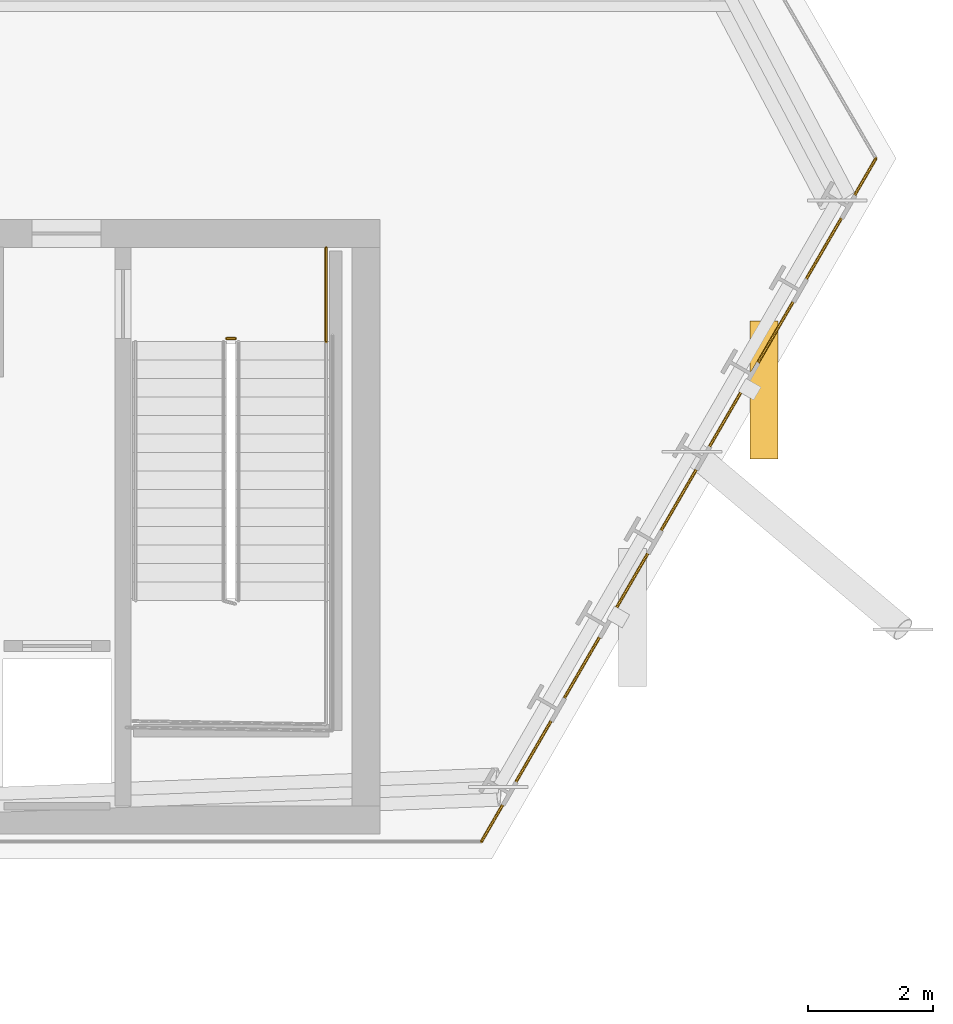
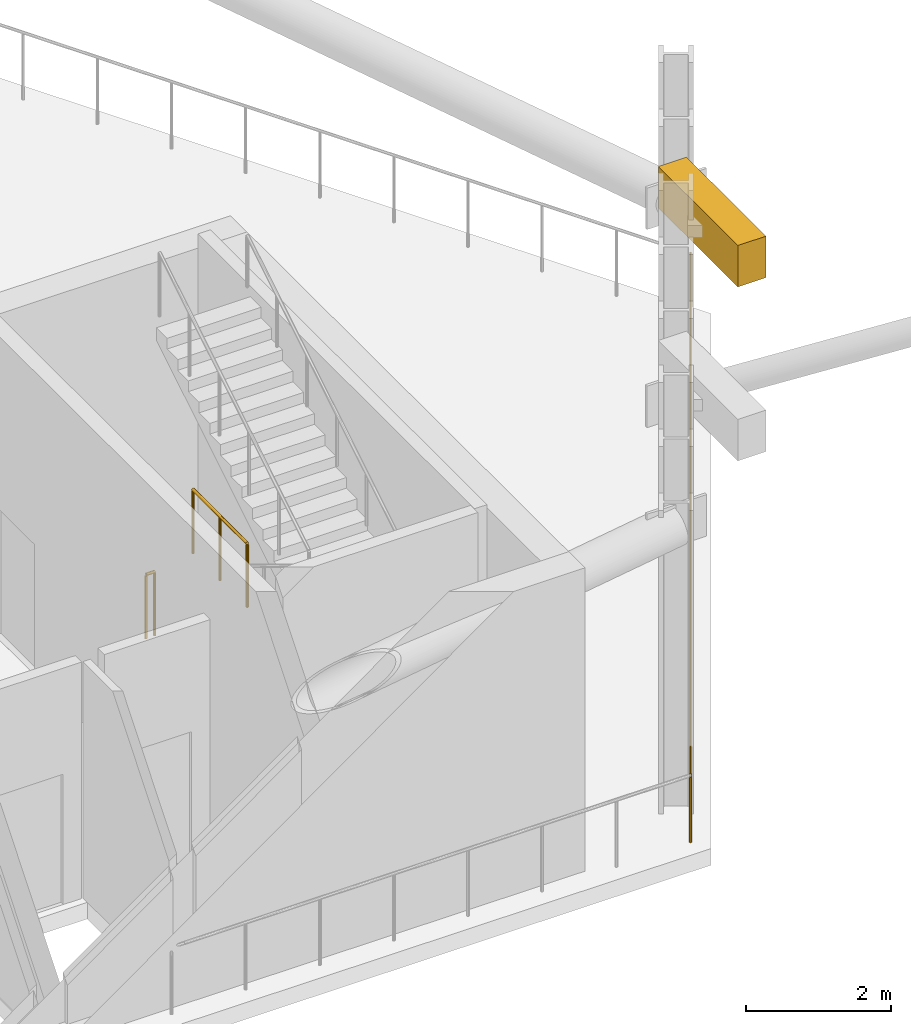
# One storey, part 10 of 11: 3 railings, 1 shading device.
"""IFC4 building model written with IfcOpenShell, lengths in metres."""

from ifc_helpers import new_model, si_unit, direction, frame, origin, origin_2d, place, context, subcontext, project, spatial, rectangle, circle, extrude, material, layer, layer_set, type_object, element, save


model = new_model("IFC4")

# Units and contexts
model_context = context("Model", 3, precision=1e-05, world=origin(), true_north=direction((0.0, 1.0)))
body_context = subcontext(model_context, "Body", "Model", "MODEL_VIEW")
ifc_project = project(units=[si_unit("LENGTHUNIT", "METRE"), si_unit("AREAUNIT", "SQUARE_METRE"), si_unit("VOLUMEUNIT", "CUBIC_METRE"), si_unit("PLANEANGLEUNIT", "RADIAN"), si_unit("MASSUNIT", "GRAM", prefix="KILO")], contexts=[model_context])

# Site, building, storey
site_placement = place(None, origin())
site = spatial("IfcSite", under=ifc_project, at=site_placement, CompositionType="ELEMENT")
building_placement = place(site_placement, origin())
building = spatial("IfcBuilding", under=site, at=building_placement, Name="Ndaravel Arena Tower", CompositionType="ELEMENT")
storey_placement = place(building_placement, frame((0.0, 0.0, 112.0)))
storey = spatial("IfcBuildingStorey", under=building, at=storey_placement, Name="L26", CompositionType="ELEMENT", Elevation=112.0)

# Railings
ifc_material_1 = material(Name="Steel S355", Category="steel")
ifc_layer_1 = layer(ifc_material_1, 0.06005859375)
ifc_layer_set_1 = layer_set([ifc_layer_1], Name="Steel S355")
railing_type_1 = type_object("IfcRailingType", Name="RAIL-STAIR-GD1100", PredefinedType="GUARDRAIL", material=ifc_layer_set_1)
railing_1_placement = place(storey_placement, frame((55.10009765625, 13.300048828125, 0.0)))
element("IfcRailing", 1, at=railing_1_placement, inside=storey, type_object=railing_type_1, Name="L26 ST-3 stair guard 4", PredefinedType="GUARDRAIL", context=body_context, shape_type="SweptSolid", body=[
    extrude(circle(Radius=0.02392578125, at=origin_2d()), frame((0.0, 0.0, 1.076171875), z_axis=(1.0, 0.0, 0.0), x_axis=(0.0, 1.0, 0.0)), (0.0, 0.0, 1.0), 0.139892578125),
    extrude(circle(Radius=0.02099609375, at=origin_2d()), origin(), (0.0, 0.0, 1.0), 1.052001953125),
    extrude(circle(Radius=0.02099609375, at=origin_2d()), frame((0.139892578125, 0.0, 0.0)), (0.0, 0.0, 1.0), 1.052001953125),
])
railing_2_placement = place(storey_placement, frame((56.68994140625, 14.75, 0.0)))
element("IfcRailing", 2, at=railing_2_placement, inside=storey, type_object=railing_type_1, Name="L26 ST-3 stair guard 5", PredefinedType="GUARDRAIL", context=body_context, shape_type="SweptSolid", body=[
    extrude(circle(Radius=0.02392578125, at=origin_2d()), frame((0.0, 0.0, 1.076171875), z_axis=(0.0, -1.0, 0.0), x_axis=(1.0, 0.0, 0.0)), (0.0, 0.0, 1.0), 1.5),
    extrude(circle(Radius=0.02099609375, at=origin_2d()), origin(), (0.0, 0.0, 1.0), 1.052001953125),
    extrude(circle(Radius=0.02099609375, at=origin_2d()), frame((0.0, -0.75, 0.0)), (0.0, 0.0, 1.0), 1.052001953125),
    extrude(circle(Radius=0.02099609375, at=origin_2d()), frame((0.0, -1.5, 0.0)), (0.0, 0.0, 1.0), 1.052001953125),
])
ifc_material_2 = material(Name="Glazing", Category="glass")
ifc_layer_2 = layer(ifc_material_2, 0.070068359375)
ifc_layer_set_2 = layer_set([ifc_layer_2], Name="Glazing")
railing_type_2 = type_object("IfcRailingType", Name="RAIL-TERRACE-1150", PredefinedType="BALUSTRADE", material=ifc_layer_set_2)
railing_3_placement = place(storey_placement, frame((59.165283203125, 5.280029296875, 0.0)))
element("IfcRailing", 3, at=railing_3_placement, inside=storey, type_object=railing_type_2, Name="L26 Open Wind Floor Perimeter Guard 2", PredefinedType="BALUSTRADE", context=body_context, shape_type="SweptSolid", body=[
    extrude(circle(Radius=0.02392578125, at=origin_2d()), frame((0.0, 0.0, 1.1259765625), z_axis=(0.500013689994, 0.866017499719, 0.0), x_axis=(-0.866017499719, 0.500013689994, 0.0)), (0.0, 0.0, 1.0), 12.577880859375),
    extrude(circle(Radius=0.02099609375, at=origin_2d()), origin(), (0.0, 0.0, 1.0), 1.101806640625),
    extrude(circle(Radius=0.02099609375, at=origin_2d()), frame((0.57177734375, 0.990234375, 0.0)), (0.0, 0.0, 1.0), 1.101806640625),
    extrude(circle(Radius=0.02099609375, at=origin_2d()), frame((1.1435546875, 1.98046875, 0.0)), (0.0, 0.0, 1.0), 1.101806640625),
    extrude(circle(Radius=0.02099609375, at=origin_2d()), frame((1.715087890625, 2.970703125, 0.0)), (0.0, 0.0, 1.0), 1.101806640625),
    extrude(circle(Radius=0.02099609375, at=origin_2d()), frame((2.286865234375, 3.9609375, 0.0)), (0.0, 0.0, 1.0), 1.101806640625),
    extrude(circle(Radius=0.02099609375, at=origin_2d()), frame((2.858642578125, 4.951171875, 0.0)), (0.0, 0.0, 1.0), 1.101806640625),
    extrude(circle(Radius=0.02099609375, at=origin_2d()), frame((3.430419921875, 5.94140625, 0.0)), (0.0, 0.0, 1.0), 1.101806640625),
    extrude(circle(Radius=0.02099609375, at=origin_2d()), frame((4.002197265625, 6.931640625, 0.0)), (0.0, 0.0, 1.0), 1.101806640625),
    extrude(circle(Radius=0.02099609375, at=origin_2d()), frame((4.573974609375, 7.921875, 0.0)), (0.0, 0.0, 1.0), 1.101806640625),
    extrude(circle(Radius=0.02099609375, at=origin_2d()), frame((5.1455078125, 8.912109375, 0.0)), (0.0, 0.0, 1.0), 1.101806640625),
    extrude(circle(Radius=0.02099609375, at=origin_2d()), frame((5.71728515625, 9.90234375, 0.0)), (0.0, 0.0, 1.0), 1.101806640625),
    extrude(circle(Radius=0.02099609375, at=origin_2d()), frame((6.2890625, 10.892578125, 0.0)), (0.0, 0.0, 1.0), 1.101806640625),
])

# Shading device
ifc_material_3 = material(Name="Aluminium", Category="aluminium")
shading_device_type = type_object("IfcShadingDeviceType", Name="SHD-WIND-LOUVRE", PredefinedType="JALOUSIE", material=ifc_material_3)
shading_device_placement = place(storey_placement, frame((63.6689453125, 12.481689453125, 4.169921875), z_axis=(0.0, 0.0, 1.0), x_axis=(1.0, 0.0, 0.0)))
element("IfcShadingDevice", 4, at=shading_device_placement, inside=storey, type_object=shading_device_type, Name="L26 Wind-Floor Acoustic Louvre 2.2", PredefinedType="JALOUSIE", context=body_context, shape_type="SweptSolid", body=[
    extrude(rectangle(XDim=0.449951171875, YDim=2.199951171875, at=origin_2d()), origin(), (0.0, 0.0, 1.0), 0.699951171875),
])

save(model, "model.ifc")
